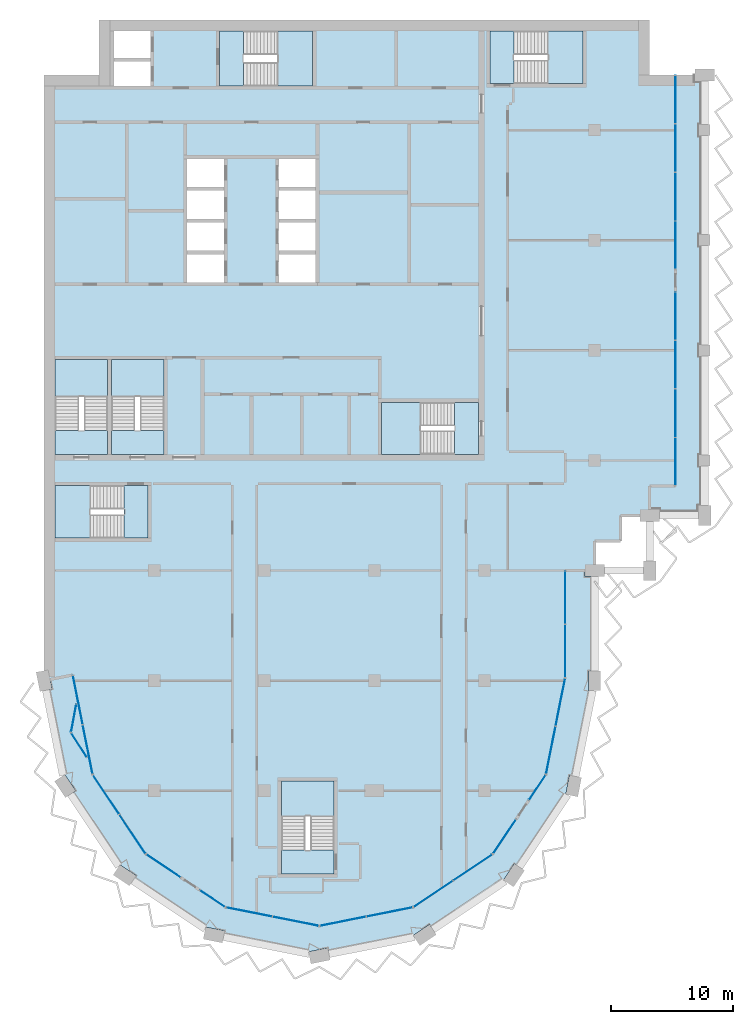
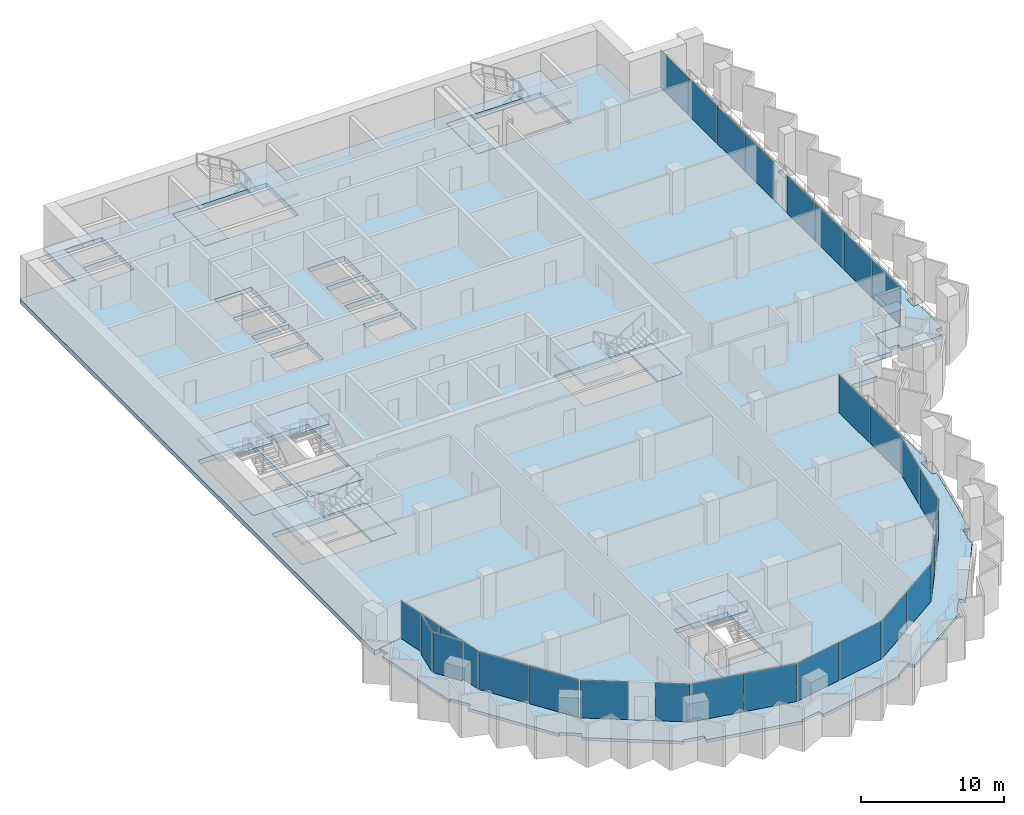
# One storey, part 7 of 17: 28 plates, 17 slabs, 22 elements without a shape of their own.
"""IFC4 building model written with IfcOpenShell, lengths in metres."""

from ifc_helpers import new_model, si_unit, direction, frame, origin, origin_2d, place, context, subcontext, project, spatial, polyline, rectangle, outline, extrude, material, layer, layer_set, type_object, element, aggregate, save


model = new_model("IFC4")

# Units and contexts
model_context = context("Model", 3, precision=1e-05, world=origin(), true_north=direction((0.0, 1.0)))
body_context = subcontext(model_context, "Body", "Model", "MODEL_VIEW")
ifc_project = project(units=[si_unit("LENGTHUNIT", "METRE"), si_unit("AREAUNIT", "SQUARE_METRE"), si_unit("VOLUMEUNIT", "CUBIC_METRE"), si_unit("PLANEANGLEUNIT", "RADIAN"), si_unit("MASSUNIT", "GRAM", prefix="KILO")], contexts=[model_context])

# Site, building, storey
site_placement = place(None, origin())
site = spatial("IfcSite", under=ifc_project, at=site_placement, CompositionType="ELEMENT")
building_placement = place(site_placement, origin())
building = spatial("IfcBuilding", under=site, at=building_placement, Name="Hunhe Ridgeline Campus", CompositionType="ELEMENT")
storey_placement = place(building_placement, frame((0.0, 0.0, 268.800048828125)))
storey = spatial("IfcBuildingStorey", under=building, at=storey_placement, Name="L69", CompositionType="ELEMENT", Elevation=268.800048828125)

# Curtain wall, plates
ifc_material_1 = material(Name="Aluminium 6063", Category="aluminium")
curtain_wall_type_1 = type_object("IfcCurtainWallType", Name="Curtain wall CW-5", PredefinedType="NOTDEFINED", material=ifc_material_1)
curtain_wall_1_placement = place(storey_placement, origin())
curtain_wall_1 = element("IfcCurtainWall", 1, at=curtain_wall_1_placement, inside=storey, type_object=curtain_wall_type_1, Name="Curtain wall 01", PredefinedType="NOTDEFINED")
ifc_material_2 = material(Name="Low-e laminated glass", Category="glass")
ifc_layer_1 = layer(ifc_material_2, 0.028076171875)
ifc_layer_set_1 = layer_set([ifc_layer_1], Name="Curtain wall glass panel 28 low-e laminated")
plate_type = type_object("IfcPlateType", Name="Curtain wall glass panel 28 low-e laminated", PredefinedType="CURTAIN_PANEL", material=ifc_layer_set_1)
plate_1_placement = place(storey_placement, frame((2.76318359375, 43.416015625, 0.0), z_axis=(0.0, 0.0, 1.0), x_axis=(0.195095347137, -0.980784280831, 0.0)))
plate_1 = element("IfcPlate", 2, at=plate_1_placement, type_object=plate_type, Name="CW-5 panel 1", PredefinedType="CURTAIN_PANEL", context=body_context, shape_type="SweptSolid", body=[
    extrude(rectangle(XDim=4.0458984375, YDim=0.028076171875, at=origin_2d()), origin(), (0.0, 0.0, 1.0), 3.22998046875),
])
plate_2_placement = place(storey_placement, frame((3.566162109375, 39.379150390625, 0.0), z_axis=(0.0, 0.0, 1.0), x_axis=(0.195095347137, -0.980784280831, 0.0)))
plate_2 = element("IfcPlate", 3, at=plate_2_placement, type_object=plate_type, Name="CW-5 panel 2", PredefinedType="CURTAIN_PANEL", context=body_context, shape_type="SweptSolid", body=[
    extrude(rectangle(XDim=4.0458984375, YDim=0.028076171875, at=origin_2d()), origin(), (0.0, 0.0, 1.0), 3.22998046875),
])
aggregate(curtain_wall_1, [plate_1, plate_2])

# Curtain wall, plate
curtain_wall_type_2 = type_object("IfcCurtainWallType", Name="Curtain wall CW-2", PredefinedType="NOTDEFINED", material=ifc_material_1)
curtain_wall_2_placement = place(storey_placement, origin())
curtain_wall_2 = element("IfcCurtainWall", 4, at=curtain_wall_2_placement, inside=storey, type_object=curtain_wall_type_2, Name="Curtain wall B01a", PredefinedType="NOTDEFINED")
plate_3_placement = place(storey_placement, frame((2.4248046875, 41.938720703125, 0.0), z_axis=(0.0, 0.0, 1.0), x_axis=(-0.183112559813, -0.983091954213, 0.0)))
plate_3 = element("IfcPlate", 5, at=plate_3_placement, type_object=plate_type, Name="CW-2 panel 1", PredefinedType="CURTAIN_PANEL", context=body_context, shape_type="SweptSolid", body=[
    extrude(rectangle(XDim=2.30322265625, YDim=0.028076171875, at=origin_2d()), origin(), (0.0, 0.0, 1.0), 3.389892578125),
])
aggregate(curtain_wall_2, [plate_3])

curtain_wall_3_placement = place(storey_placement, origin())
curtain_wall_3 = element("IfcCurtainWall", 6, at=curtain_wall_3_placement, inside=storey, type_object=curtain_wall_type_2, Name="Curtain wall B01b", PredefinedType="NOTDEFINED")
plate_4_placement = place(storey_placement, frame((2.86376953125, 39.73193359375, 0.0), z_axis=(0.0, 0.0, 1.0), x_axis=(0.545395474403, -0.838178845176, 0.0)))
plate_4 = element("IfcPlate", 7, at=plate_4_placement, type_object=plate_type, Name="CW-2 panel 1", PredefinedType="CURTAIN_PANEL", context=body_context, shape_type="SweptSolid", body=[
    extrude(rectangle(XDim=2.30322265625, YDim=0.028076171875, at=origin_2d()), origin(), (0.0, 0.0, 1.0), 3.389892578125),
])
aggregate(curtain_wall_3, [plate_4])

# Curtain wall, plates
curtain_wall_4_placement = place(storey_placement, origin())
curtain_wall_4 = element("IfcCurtainWall", 8, at=curtain_wall_4_placement, inside=storey, type_object=curtain_wall_type_1, Name="Curtain wall 02", PredefinedType="NOTDEFINED")
plate_5_placement = place(storey_placement, frame((5.07080078125, 35.685546875, 0.0), z_axis=(0.0, 0.0, 1.0), x_axis=(0.555570274596, -0.831469584522, 0.0)))
plate_5 = element("IfcPlate", 9, at=plate_5_placement, type_object=plate_type, Name="CW-5 panel 1", PredefinedType="CURTAIN_PANEL", context=body_context, shape_type="SweptSolid", body=[
    extrude(rectangle(XDim=3.806884765625, YDim=0.028076171875, at=origin_2d()), origin(), (0.0, 0.0, 1.0), 3.22998046875),
])
plate_6_placement = place(storey_placement, frame((7.224609375, 32.4619140625, 0.0), z_axis=(0.0, 0.0, 1.0), x_axis=(0.555570274596, -0.831469584522, 0.0)))
plate_6 = element("IfcPlate", 10, at=plate_6_placement, type_object=plate_type, Name="CW-5 panel 2", PredefinedType="CURTAIN_PANEL", context=body_context, shape_type="SweptSolid", body=[
    extrude(rectangle(XDim=3.806884765625, YDim=0.028076171875, at=origin_2d()), origin(), (0.0, 0.0, 1.0), 3.22998046875),
])
aggregate(curtain_wall_4, [plate_5, plate_6])

# Curtain wall, plate
curtain_wall_5_placement = place(storey_placement, origin())
curtain_wall_5 = element("IfcCurtainWall", 11, at=curtain_wall_5_placement, inside=storey, type_object=curtain_wall_type_1, Name="Curtain wall 03", PredefinedType="NOTDEFINED")
plate_7_placement = place(storey_placement, frame((9.76025390625, 29.859375, 0.0), z_axis=(0.0, 0.0, 1.0), x_axis=(0.831469595944, -0.555570257501, 0.0)))
plate_7 = element("IfcPlate", 12, at=plate_7_placement, type_object=plate_type, Name="CW-5 panel 1", PredefinedType="CURTAIN_PANEL", context=body_context, shape_type="SweptSolid", body=[
    extrude(rectangle(XDim=3.322021484375, YDim=0.028076171875, at=origin_2d()), origin(), (0.0, 0.0, 1.0), 3.22998046875),
])
aggregate(curtain_wall_5, [plate_7])

curtain_wall_6_placement = place(storey_placement, origin())
curtain_wall_6 = element("IfcCurtainWall", 13, at=curtain_wall_6_placement, inside=storey, type_object=curtain_wall_type_1, Name="Curtain wall 04", PredefinedType="NOTDEFINED")
plate_8_placement = place(storey_placement, frame((13.761474609375, 27.18603515625, 0.0), z_axis=(0.0, 0.0, 1.0), x_axis=(0.831469510353, -0.555570385598, 0.0)))
plate_8 = element("IfcPlate", 14, at=plate_8_placement, type_object=plate_type, Name="CW-5 panel 1", PredefinedType="CURTAIN_PANEL", context=body_context, shape_type="SweptSolid", body=[
    extrude(rectangle(XDim=2.421875, YDim=0.028076171875, at=origin_2d()), origin(), (0.0, 0.0, 1.0), 3.22998046875),
])
aggregate(curtain_wall_6, [plate_8])

# Curtain wall, plates
curtain_wall_7_placement = place(storey_placement, origin())
curtain_wall_7 = element("IfcCurtainWall", 15, at=curtain_wall_7_placement, inside=storey, type_object=curtain_wall_type_1, Name="Curtain wall 05", PredefinedType="NOTDEFINED")
plate_9_placement = place(storey_placement, frame((16.761962890625, 26.08935546875, 0.0), z_axis=(0.0, 0.0, 1.0), x_axis=(0.980785275326, -0.195090347539, 0.0)))
plate_9 = element("IfcPlate", 16, at=plate_9_placement, type_object=plate_type, Name="CW-5 panel 1", PredefinedType="CURTAIN_PANEL", context=body_context, shape_type="SweptSolid", body=[
    extrude(rectangle(XDim=3.806884765625, YDim=0.028076171875, at=origin_2d()), origin(), (0.0, 0.0, 1.0), 3.22998046875),
])
plate_10_placement = place(storey_placement, frame((20.564453125, 25.3330078125, 0.0), z_axis=(0.0, 0.0, 1.0), x_axis=(0.980785275326, -0.195090347539, 0.0)))
plate_10 = element("IfcPlate", 17, at=plate_10_placement, type_object=plate_type, Name="CW-5 panel 2", PredefinedType="CURTAIN_PANEL", context=body_context, shape_type="SweptSolid", body=[
    extrude(rectangle(XDim=3.806884765625, YDim=0.028076171875, at=origin_2d()), origin(), (0.0, 0.0, 1.0), 3.22998046875),
])
aggregate(curtain_wall_7, [plate_9, plate_10])

curtain_wall_8_placement = place(storey_placement, origin())
curtain_wall_8 = element("IfcCurtainWall", 18, at=curtain_wall_8_placement, inside=storey, type_object=curtain_wall_type_1, Name="Curtain wall 06", PredefinedType="NOTDEFINED")
plate_11_placement = place(storey_placement, frame((24.435546875, 25.3330078125, 0.0), z_axis=(0.0, 0.0, 1.0), x_axis=(0.980785275326, 0.195090347539, 0.0)))
plate_11 = element("IfcPlate", 19, at=plate_11_placement, type_object=plate_type, Name="CW-5 panel 1", PredefinedType="CURTAIN_PANEL", context=body_context, shape_type="SweptSolid", body=[
    extrude(rectangle(XDim=3.806884765625, YDim=0.028076171875, at=origin_2d()), origin(), (0.0, 0.0, 1.0), 3.22998046875),
])
plate_12_placement = place(storey_placement, frame((28.238037109375, 26.08935546875, 0.0), z_axis=(0.0, 0.0, 1.0), x_axis=(0.980785275326, 0.195090347539, 0.0)))
plate_12 = element("IfcPlate", 20, at=plate_12_placement, type_object=plate_type, Name="CW-5 panel 2", PredefinedType="CURTAIN_PANEL", context=body_context, shape_type="SweptSolid", body=[
    extrude(rectangle(XDim=3.806884765625, YDim=0.028076171875, at=origin_2d()), origin(), (0.0, 0.0, 1.0), 3.22998046875),
])
aggregate(curtain_wall_8, [plate_11, plate_12])

curtain_wall_9_placement = place(storey_placement, origin())
curtain_wall_9 = element("IfcCurtainWall", 21, at=curtain_wall_9_placement, inside=storey, type_object=curtain_wall_type_1, Name="Curtain wall 07", PredefinedType="NOTDEFINED")
plate_13_placement = place(storey_placement, frame((31.814453125, 27.57080078125, 0.0), z_axis=(0.0, 0.0, 1.0), x_axis=(0.831469584522, 0.555570274596, 0.0)))
plate_13 = element("IfcPlate", 22, at=plate_13_placement, type_object=plate_type, Name="CW-5 panel 1", PredefinedType="CURTAIN_PANEL", context=body_context, shape_type="SweptSolid", body=[
    extrude(rectangle(XDim=3.806884765625, YDim=0.028076171875, at=origin_2d()), origin(), (0.0, 0.0, 1.0), 3.22998046875),
])
plate_14_placement = place(storey_placement, frame((35.0380859375, 29.724609375, 0.0), z_axis=(0.0, 0.0, 1.0), x_axis=(0.831469584522, 0.555570274596, 0.0)))
plate_14 = element("IfcPlate", 23, at=plate_14_placement, type_object=plate_type, Name="CW-5 panel 2", PredefinedType="CURTAIN_PANEL", context=body_context, shape_type="SweptSolid", body=[
    extrude(rectangle(XDim=3.806884765625, YDim=0.028076171875, at=origin_2d()), origin(), (0.0, 0.0, 1.0), 3.22998046875),
])
aggregate(curtain_wall_9, [plate_13, plate_14])

# Curtain wall, plate
curtain_wall_10_placement = place(storey_placement, origin())
curtain_wall_10 = element("IfcCurtainWall", 24, at=curtain_wall_10_placement, inside=storey, type_object=curtain_wall_type_1, Name="Curtain wall 08", PredefinedType="NOTDEFINED")
plate_15_placement = place(storey_placement, frame((37.640625, 32.26025390625, 0.0), z_axis=(0.0, 0.0, 1.0), x_axis=(0.555570257501, 0.831469595944, 0.0)))
plate_15 = element("IfcPlate", 25, at=plate_15_placement, type_object=plate_type, Name="CW-5 panel 1", PredefinedType="CURTAIN_PANEL", context=body_context, shape_type="SweptSolid", body=[
    extrude(rectangle(XDim=3.322021484375, YDim=0.028076171875, at=origin_2d()), origin(), (0.0, 0.0, 1.0), 3.22998046875),
])
aggregate(curtain_wall_10, [plate_15])

curtain_wall_11_placement = place(storey_placement, origin())
curtain_wall_11 = element("IfcCurtainWall", 26, at=curtain_wall_11_placement, inside=storey, type_object=curtain_wall_type_1, Name="Curtain wall 09", PredefinedType="NOTDEFINED")
plate_16_placement = place(storey_placement, frame((40.31396484375, 36.261474609375, 0.0), z_axis=(0.0, 0.0, 1.0), x_axis=(0.555570385598, 0.831469510353, 0.0)))
plate_16 = element("IfcPlate", 27, at=plate_16_placement, type_object=plate_type, Name="CW-5 panel 1", PredefinedType="CURTAIN_PANEL", context=body_context, shape_type="SweptSolid", body=[
    extrude(rectangle(XDim=2.421875, YDim=0.028076171875, at=origin_2d()), origin(), (0.0, 0.0, 1.0), 3.22998046875),
])
aggregate(curtain_wall_11, [plate_16])

# Curtain wall, plates
curtain_wall_12_placement = place(storey_placement, origin())
curtain_wall_12 = element("IfcCurtainWall", 28, at=curtain_wall_12_placement, inside=storey, type_object=curtain_wall_type_1, Name="Curtain wall 10", PredefinedType="NOTDEFINED")
plate_17_placement = place(storey_placement, frame((41.42236328125, 39.321044921875, 0.0), z_axis=(0.0, 0.0, 1.0), x_axis=(0.195090299215, 0.980785284939, 0.0)))
plate_17 = element("IfcPlate", 29, at=plate_17_placement, type_object=plate_type, Name="CW-5 panel 1", PredefinedType="CURTAIN_PANEL", context=body_context, shape_type="SweptSolid", body=[
    extrude(rectangle(XDim=3.927490234375, YDim=0.028076171875, at=origin_2d()), origin(), (0.0, 0.0, 1.0), 3.22998046875),
])
plate_18_placement = place(storey_placement, frame((42.2021484375, 43.24169921875, 0.0), z_axis=(0.0, 0.0, 1.0), x_axis=(0.195090299215, 0.980785284939, 0.0)))
plate_18 = element("IfcPlate", 30, at=plate_18_placement, type_object=plate_type, Name="CW-5 panel 2", PredefinedType="CURTAIN_PANEL", context=body_context, shape_type="SweptSolid", body=[
    extrude(rectangle(XDim=3.927490234375, YDim=0.028076171875, at=origin_2d()), origin(), (0.0, 0.0, 1.0), 3.22998046875),
])
aggregate(curtain_wall_12, [plate_17, plate_18])

curtain_wall_type_3 = type_object("IfcCurtainWallType", Name="Curtain wall CW-1", PredefinedType="NOTDEFINED", material=ifc_material_1)
curtain_wall_13_placement = place(storey_placement, origin())
curtain_wall_13 = element("IfcCurtainWall", 31, at=curtain_wall_13_placement, inside=storey, type_object=curtain_wall_type_3, Name="Curtain wall 11", PredefinedType="NOTDEFINED")
plate_19_placement = place(storey_placement, frame((42.59912109375, 47.4423828125, 0.0), z_axis=(0.0, 0.0, 1.0), x_axis=(1.9283253e-05, 0.999999999814, 0.0)))
plate_19 = element("IfcPlate", 32, at=plate_19_placement, type_object=plate_type, Name="CW-1 panel 1", PredefinedType="CURTAIN_PANEL", context=body_context, shape_type="SweptSolid", body=[
    extrude(rectangle(XDim=4.2919921875, YDim=0.028076171875, at=origin_2d()), origin(), (0.0, 0.0, 1.0), 3.239990234375),
])
plate_20_placement = place(storey_placement, frame((42.59912109375, 51.79443359375, 0.0), z_axis=(0.0, 0.0, 1.0), x_axis=(1.9283253e-05, 0.999999999814, 0.0)))
plate_20 = element("IfcPlate", 33, at=plate_20_placement, type_object=plate_type, Name="CW-1 panel 2", PredefinedType="CURTAIN_PANEL", context=body_context, shape_type="SweptSolid", body=[
    extrude(rectangle(XDim=4.2919921875, YDim=0.028076171875, at=origin_2d()), origin(), (0.0, 0.0, 1.0), 3.239990234375),
])
aggregate(curtain_wall_13, [plate_19, plate_20])

curtain_wall_14_placement = place(storey_placement, origin())
curtain_wall_14 = element("IfcCurtainWall", 34, at=curtain_wall_14_placement, inside=storey, type_object=curtain_wall_type_3, Name="Curtain wall 12", PredefinedType="NOTDEFINED")
plate_21_placement = place(storey_placement, frame((51.59912109375, 62.9033203125, 0.0), z_axis=(0.0, 0.0, 1.0), x_axis=(0.0, 1.0, 0.0)))
plate_21 = element("IfcPlate", 35, at=plate_21_placement, type_object=plate_type, Name="CW-1 panel 1", PredefinedType="CURTAIN_PANEL", context=body_context, shape_type="SweptSolid", body=[
    extrude(rectangle(XDim=3.884765625, YDim=0.028076171875, at=origin_2d()), origin(), (0.0, 0.0, 1.0), 3.239990234375),
])
plate_22_placement = place(storey_placement, frame((51.59912109375, 66.86328125, 0.0), z_axis=(0.0, 0.0, 1.0), x_axis=(0.0, 1.0, 0.0)))
plate_22 = element("IfcPlate", 36, at=plate_22_placement, type_object=plate_type, Name="CW-1 panel 2", PredefinedType="CURTAIN_PANEL", context=body_context, shape_type="SweptSolid", body=[
    extrude(rectangle(XDim=3.914794921875, YDim=0.028076171875, at=origin_2d()), origin(), (0.0, 0.0, 1.0), 3.239990234375),
])
plate_23_placement = place(storey_placement, frame((51.59912109375, 70.838134765625, 0.0), z_axis=(0.0, 0.0, 1.0), x_axis=(0.0, 1.0, 0.0)))
plate_23 = element("IfcPlate", 37, at=plate_23_placement, type_object=plate_type, Name="CW-1 panel 3", PredefinedType="CURTAIN_PANEL", context=body_context, shape_type="SweptSolid", body=[
    extrude(rectangle(XDim=3.914794921875, YDim=0.028076171875, at=origin_2d()), origin(), (0.0, 0.0, 1.0), 3.239990234375),
])
plate_24_placement = place(storey_placement, frame((51.59912109375, 74.798095703125, 0.0), z_axis=(0.0, 0.0, 1.0), x_axis=(0.0, 1.0, 0.0)))
plate_24 = element("IfcPlate", 38, at=plate_24_placement, type_object=plate_type, Name="CW-1 panel 4", PredefinedType="CURTAIN_PANEL", context=body_context, shape_type="SweptSolid", body=[
    extrude(rectangle(XDim=3.884765625, YDim=0.028076171875, at=origin_2d()), origin(), (0.0, 0.0, 1.0), 3.239990234375),
])
aggregate(curtain_wall_14, [plate_21, plate_22, plate_23, plate_24])

curtain_wall_15_placement = place(storey_placement, origin())
curtain_wall_15 = element("IfcCurtainWall", 39, at=curtain_wall_15_placement, inside=storey, type_object=curtain_wall_type_3, Name="Curtain wall 13", PredefinedType="NOTDEFINED")
plate_25_placement = place(storey_placement, frame((51.59912109375, 80.60302734375, 0.0), z_axis=(0.0, 0.0, 1.0), x_axis=(0.0, 1.0, 0.0)))
plate_25 = element("IfcPlate", 40, at=plate_25_placement, type_object=plate_type, Name="CW-1 panel 1", PredefinedType="CURTAIN_PANEL", context=body_context, shape_type="SweptSolid", body=[
    extrude(rectangle(XDim=3.884765625, YDim=0.028076171875, at=origin_2d()), origin(), (0.0, 0.0, 1.0), 3.239990234375),
])
plate_26_placement = place(storey_placement, frame((51.59912109375, 84.562744140625, 0.0), z_axis=(0.0, 0.0, 1.0), x_axis=(0.0, 1.0, 0.0)))
plate_26 = element("IfcPlate", 41, at=plate_26_placement, type_object=plate_type, Name="CW-1 panel 2", PredefinedType="CURTAIN_PANEL", context=body_context, shape_type="SweptSolid", body=[
    extrude(rectangle(XDim=3.914794921875, YDim=0.028076171875, at=origin_2d()), origin(), (0.0, 0.0, 1.0), 3.239990234375),
])
plate_27_placement = place(storey_placement, frame((51.59912109375, 88.53759765625, 0.0), z_axis=(0.0, 0.0, 1.0), x_axis=(0.0, 1.0, 0.0)))
plate_27 = element("IfcPlate", 42, at=plate_27_placement, type_object=plate_type, Name="CW-1 panel 3", PredefinedType="CURTAIN_PANEL", context=body_context, shape_type="SweptSolid", body=[
    extrude(rectangle(XDim=3.914794921875, YDim=0.028076171875, at=origin_2d()), origin(), (0.0, 0.0, 1.0), 3.239990234375),
])
plate_28_placement = place(storey_placement, frame((51.59912109375, 92.49755859375, 0.0), z_axis=(0.0, 0.0, 1.0), x_axis=(0.0, 1.0, 0.0)))
plate_28 = element("IfcPlate", 43, at=plate_28_placement, type_object=plate_type, Name="CW-1 panel 4", PredefinedType="CURTAIN_PANEL", context=body_context, shape_type="SweptSolid", body=[
    extrude(rectangle(XDim=3.884765625, YDim=0.028076171875, at=origin_2d()), origin(), (0.0, 0.0, 1.0), 3.239990234375),
])
aggregate(curtain_wall_15, [plate_25, plate_26, plate_27, plate_28])

# Slabs
ifc_material_3 = material(Name="Concrete C40", Category="concrete")
ifc_layer_2 = layer(ifc_material_3, 0.39990234375)
ifc_layer_set_2 = layer_set([ifc_layer_2], Name="Floor slab 400 Concrete C40")
slab_type_1 = type_object("IfcSlabType", Name="Floor slab 400 Concrete C40", PredefinedType="FLOOR", material=ifc_layer_set_2)
slab_1_placement = place(storey_placement, frame((0.0, 0.0, -0.400146484375)))
element("IfcSlab", 44, at=slab_1_placement, inside=storey, type_object=slab_type_1, Name="Floor slab L69 1", PredefinedType="FLOOR", context=body_context, shape_type="SweptSolid", body=[
    extrude(outline(polyline([(36.678955078125, 30.821044921875), (41.025634765625, 37.326416015625), (42.59912109375, 45.236572265625), (42.59912109375, 54.00048828125), (44.9990234375, 54.0009765625), (44.999267578125, 56.400634765625), (47.09912109375, 56.40087890625), (47.099609375, 58.5009765625), (49.4990234375, 58.5009765625), (49.49951171875, 60.90087890625), (51.59912109375, 60.90087890625), (51.59912109375, 94.5), (49.5, 94.5), (49.5, 99.0), (4.5, 99.0), (4.5, 94.5), (0.0, 94.5), (0.0, 45.0009765625), (2.354736328125, 45.46875), (3.974365234375, 37.326416015625), (8.321044921875, 30.821044921875), (14.826416015625, 26.474365234375), (22.5, 24.947998046875), (30.173583984375, 26.474365234375), (36.678955078125, 30.821044921875)]), holes=[polyline([(36.449951171875, 98.10009765625), (36.449951171875, 93.800048828125), (44.050048828125, 93.800048828125), (44.050048828125, 98.10009765625), (36.449951171875, 98.10009765625)]), polyline([(27.60009765625, 63.5), (35.5, 63.5), (35.5, 67.75), (27.60009765625, 67.75), (27.60009765625, 63.5)]), polyline([(19.39990234375, 36.800048828125), (19.39990234375, 29.199951171875), (23.699951171875, 29.199951171875), (23.699951171875, 36.800048828125), (19.39990234375, 36.800048828125)]), polyline([(22.199951171875, 87.64990234375), (19.199951171875, 87.64990234375), (19.199951171875, 85.35009765625), (22.199951171875, 85.35009765625), (22.199951171875, 87.64990234375)]), polyline([(22.199951171875, 77.550048828125), (22.199951171875, 79.85009765625), (19.199951171875, 79.85009765625), (19.199951171875, 77.550048828125), (22.199951171875, 77.550048828125)]), polyline([(19.199951171875, 85.050048828125), (19.199951171875, 82.75), (22.199951171875, 82.75), (22.199951171875, 85.050048828125), (19.199951171875, 85.050048828125)]), polyline([(19.199951171875, 80.14990234375), (22.199951171875, 80.14990234375), (22.199951171875, 82.449951171875), (19.199951171875, 82.449951171875), (19.199951171875, 80.14990234375)]), polyline([(14.35009765625, 98.10009765625), (14.35009765625, 93.60009765625), (21.949951171875, 93.60009765625), (21.949951171875, 98.10009765625), (14.35009765625, 98.10009765625)]), polyline([(14.699951171875, 87.64990234375), (11.699951171875, 87.64990234375), (11.699951171875, 85.35009765625), (14.699951171875, 85.35009765625), (14.699951171875, 87.64990234375)]), polyline([(14.699951171875, 77.550048828125), (14.699951171875, 79.85009765625), (11.699951171875, 79.85009765625), (11.699951171875, 77.550048828125), (14.699951171875, 77.550048828125)]), polyline([(11.699951171875, 85.050048828125), (11.699951171875, 82.75), (14.699951171875, 82.75), (14.699951171875, 85.050048828125), (11.699951171875, 85.050048828125)]), polyline([(11.699951171875, 80.14990234375), (14.699951171875, 80.14990234375), (14.699951171875, 82.449951171875), (11.699951171875, 82.449951171875), (11.699951171875, 80.14990234375)]), polyline([(9.800048828125, 63.5), (9.800048828125, 71.25), (5.5, 71.25), (5.5, 63.5), (9.800048828125, 63.5)]), polyline([(8.699951171875, 93.60009765625), (8.699951171875, 95.60009765625), (5.699951171875, 95.60009765625), (5.699951171875, 93.60009765625), (8.699951171875, 93.60009765625)]), polyline([(5.699951171875, 95.89990234375), (8.699951171875, 95.89990234375), (8.699951171875, 98.10009765625), (5.699951171875, 98.10009765625), (5.699951171875, 95.89990234375)]), polyline([(0.89990234375, 60.949951171875), (0.89990234375, 56.64990234375), (8.5, 56.64990234375), (8.5, 60.949951171875), (0.89990234375, 60.949951171875)]), polyline([(5.199951171875, 71.25), (0.89990234375, 71.25), (0.89990234375, 63.5), (5.199951171875, 63.5), (5.199951171875, 71.25)])]), origin(), (0.0, 0.0, 1.0), 0.400146484375),
])
ifc_layer_3 = layer(ifc_material_3, 0.25)
ifc_layer_set_3 = layer_set([ifc_layer_3], Name="Loggia slab 250 Concrete C40")
slab_type_2 = type_object("IfcSlabType", Name="Loggia slab 250 Concrete C40", PredefinedType="FLOOR", material=ifc_layer_set_3)
slab_2_placement = place(storey_placement, frame((0.0, 0.0, -0.25)))
element("IfcSlab", 45, at=slab_2_placement, inside=storey, type_object=slab_type_2, Name="Loggia slab 1", PredefinedType="FLOOR", context=body_context, shape_type="SweptSolid", body=[
    extrude(outline(polyline([(30.173828125, 26.473388671875), (22.5, 24.947021484375), (14.826171875, 26.473388671875), (8.3203125, 30.8203125), (3.973388671875, 37.326171875), (2.35400390625, 45.46826171875), (0.490478515625, 45.09765625), (0.646484375, 44.31298828125), (0.156005859375, 44.21533203125), (1.543701171875, 37.239013671875), (1.68408203125, 37.33251953125), (2.572998046875, 36.002197265625), (2.1572265625, 35.724365234375), (6.109130859375, 29.81005859375), (6.20263671875, 29.9501953125), (7.532958984375, 29.061279296875), (7.25537109375, 28.645751953125), (13.169677734375, 24.69384765625), (13.20263671875, 24.859130859375), (14.771728515625, 24.547119140625), (14.67431640625, 24.056640625), (21.650634765625, 22.6689453125), (21.617919921875, 22.834228515625), (23.18701171875, 23.146484375), (23.28466796875, 22.656005859375), (30.260986328125, 24.043701171875), (30.16748046875, 24.18408203125), (31.497802734375, 25.072998046875), (31.775634765625, 24.6572265625), (37.68994140625, 28.609130859375), (37.5498046875, 28.70263671875), (38.438720703125, 30.032958984375), (38.854248046875, 29.75537109375), (42.80615234375, 35.669677734375), (42.640869140625, 35.70263671875), (42.952880859375, 37.271728515625), (43.443359375, 37.17431640625), (44.8408203125, 44.199951171875), (44.5, 44.199951171875), (44.5, 45.800048828125), (45.0, 45.800048828125), (45.0, 53.5), (44.199951171875, 53.5), (44.199951171875, 54.0), (42.60009765625, 54.0), (42.60009765625, 45.236328125), (41.026611328125, 37.326171875), (36.6796875, 30.8203125), (30.173828125, 26.473388671875)])), origin(), (0.0, 0.0, 1.0), 0.25),
])
slab_3_placement = place(storey_placement, frame((0.0, 0.0, -0.25)))
element("IfcSlab", 46, at=slab_3_placement, inside=storey, type_object=slab_type_2, Name="Loggia slab 2", PredefinedType="FLOOR", context=body_context, shape_type="SweptSolid", body=[
    extrude(outline(polyline([(49.5, 59.0), (50.300048828125, 59.0), (50.300048828125, 58.5), (53.5, 58.5), (53.5, 59.300048828125), (54.0, 59.300048828125), (54.0, 62.550048828125), (53.550048828125, 62.550048828125), (53.550048828125, 63.449951171875), (54.0, 63.449951171875), (54.0, 71.550048828125), (53.550048828125, 71.550048828125), (53.550048828125, 72.449951171875), (54.0, 72.449951171875), (54.0, 80.550048828125), (53.550048828125, 80.550048828125), (53.550048828125, 81.449951171875), (54.0, 81.449951171875), (54.0, 89.550048828125), (53.550048828125, 89.550048828125), (53.550048828125, 90.449951171875), (54.0, 90.449951171875), (54.0, 94.0), (53.199951171875, 94.0), (53.199951171875, 94.5), (51.60009765625, 94.5), (51.60009765625, 60.89990234375), (49.5, 60.89990234375), (49.5, 59.0)])), origin(), (0.0, 0.0, 1.0), 0.25),
])

# Stair, slab
stair_type = type_object("IfcStairType", Name="Reinforced concrete dog-leg stair 1950 Concrete C40", PredefinedType="HALF_TURN_STAIR", material=ifc_material_3)
stair_1_placement = place(storey_placement, origin())
stair_1 = element("IfcStair", 47, at=stair_1_placement, inside=storey, type_object=stair_type, Name="L69 S1", PredefinedType="HALF_TURN_STAIR")
ifc_layer_4 = layer(ifc_material_3, 0.199951171875)
ifc_layer_set_4 = layer_set([ifc_layer_4], Name="Reinforced concrete stair landing 200 Concrete C40")
slab_type_3 = type_object("IfcSlabType", Name="Reinforced concrete stair landing 200 Concrete C40", PredefinedType="LANDING", material=ifc_layer_set_4)
slab_4_placement = place(storey_placement, frame((0.0, 0.0, 1.64990234375)))
slab_4 = element("IfcSlab", 48, at=slab_4_placement, type_object=slab_type_3, Name="ST1 landing 1", PredefinedType="LANDING", context=body_context, shape_type="SweptSolid", body=[
    extrude(outline(polyline([(19.10009765625, 93.60009765625), (21.949951171875, 93.60009765625), (21.949951171875, 98.10009765625), (19.10009765625, 98.10009765625), (19.10009765625, 93.60009765625)])), origin(), (0.0, 0.0, 1.0), 0.199951171875),
])
aggregate(stair_1, [slab_4])

# Slab
slab_5_placement = place(storey_placement, frame((0.0, 0.0, -0.199951171875)))
element("IfcSlab", 49, at=slab_5_placement, inside=storey, type_object=slab_type_3, Name="L69 stair S1 floor landing", PredefinedType="LANDING", context=body_context, shape_type="SweptSolid", body=[
    extrude(outline(polyline([(14.35009765625, 93.60009765625), (16.300048828125, 93.60009765625), (16.300048828125, 98.10009765625), (14.35009765625, 98.10009765625), (14.35009765625, 93.60009765625)])), origin(), (0.0, 0.0, 1.0), 0.199951171875),
])

# Stair, slab
stair_2_placement = place(storey_placement, origin())
stair_2 = element("IfcStair", 50, at=stair_2_placement, inside=storey, type_object=stair_type, Name="L69 S2", PredefinedType="HALF_TURN_STAIR")
slab_6_placement = place(storey_placement, frame((0.0, 0.0, 1.64990234375)))
slab_6 = element("IfcSlab", 51, at=slab_6_placement, type_object=slab_type_3, Name="ST2 landing 1", PredefinedType="LANDING", context=body_context, shape_type="SweptSolid", body=[
    extrude(outline(polyline([(30.75, 67.75), (27.60009765625, 67.75), (27.60009765625, 63.5), (30.75, 63.5), (30.75, 67.75)])), origin(), (0.0, 0.0, 1.0), 0.199951171875),
])
aggregate(stair_2, [slab_6])

# Slab
slab_7_placement = place(storey_placement, frame((0.0, 0.0, -0.199951171875)))
element("IfcSlab", 52, at=slab_7_placement, inside=storey, type_object=slab_type_3, Name="L69 stair S2 floor landing", PredefinedType="LANDING", context=body_context, shape_type="SweptSolid", body=[
    extrude(outline(polyline([(35.5, 67.75), (33.550048828125, 67.75), (33.550048828125, 63.5), (35.5, 63.5), (35.5, 67.75)])), origin(), (0.0, 0.0, 1.0), 0.199951171875),
])

# Stair, slab
stair_3_placement = place(storey_placement, origin())
stair_3 = element("IfcStair", 53, at=stair_3_placement, inside=storey, type_object=stair_type, Name="L69 S3", PredefinedType="HALF_TURN_STAIR")
slab_8_placement = place(storey_placement, frame((0.0, 0.0, 1.64990234375)))
slab_8 = element("IfcSlab", 54, at=slab_8_placement, type_object=slab_type_3, Name="ST3 landing 1", PredefinedType="LANDING", context=body_context, shape_type="SweptSolid", body=[
    extrude(outline(polyline([(5.199951171875, 68.25), (5.199951171875, 71.25), (0.89990234375, 71.25), (0.89990234375, 68.25), (5.199951171875, 68.25)])), origin(), (0.0, 0.0, 1.0), 0.199951171875),
])
aggregate(stair_3, [slab_8])

# Slab
slab_9_placement = place(storey_placement, frame((0.0, 0.0, -0.199951171875)))
element("IfcSlab", 55, at=slab_9_placement, inside=storey, type_object=slab_type_3, Name="L69 stair S3 floor landing", PredefinedType="LANDING", context=body_context, shape_type="SweptSolid", body=[
    extrude(outline(polyline([(5.199951171875, 63.5), (5.199951171875, 65.449951171875), (0.89990234375, 65.449951171875), (0.89990234375, 63.5), (5.199951171875, 63.5)])), origin(), (0.0, 0.0, 1.0), 0.199951171875),
])

# Stair, slab
stair_4_placement = place(storey_placement, origin())
stair_4 = element("IfcStair", 56, at=stair_4_placement, inside=storey, type_object=stair_type, Name="L69 S4", PredefinedType="HALF_TURN_STAIR")
slab_10_placement = place(storey_placement, frame((0.0, 0.0, 1.64990234375)))
slab_10 = element("IfcSlab", 57, at=slab_10_placement, type_object=slab_type_3, Name="ST4 landing 1", PredefinedType="LANDING", context=body_context, shape_type="SweptSolid", body=[
    extrude(outline(polyline([(9.800048828125, 68.25), (9.800048828125, 71.25), (5.5, 71.25), (5.5, 68.25), (9.800048828125, 68.25)])), origin(), (0.0, 0.0, 1.0), 0.199951171875),
])
aggregate(stair_4, [slab_10])

# Slab
slab_11_placement = place(storey_placement, frame((0.0, 0.0, -0.199951171875)))
element("IfcSlab", 58, at=slab_11_placement, inside=storey, type_object=slab_type_3, Name="L69 stair S4 floor landing", PredefinedType="LANDING", context=body_context, shape_type="SweptSolid", body=[
    extrude(outline(polyline([(9.800048828125, 63.5), (9.800048828125, 65.449951171875), (5.5, 65.449951171875), (5.5, 63.5), (9.800048828125, 63.5)])), origin(), (0.0, 0.0, 1.0), 0.199951171875),
])

# Stair, slab
stair_5_placement = place(storey_placement, origin())
stair_5 = element("IfcStair", 59, at=stair_5_placement, inside=storey, type_object=stair_type, Name="L69 E1", PredefinedType="HALF_TURN_STAIR")
slab_12_placement = place(storey_placement, frame((0.0, 0.0, 1.64990234375)))
slab_12 = element("IfcSlab", 60, at=slab_12_placement, type_object=slab_type_3, Name="ST5 landing 1", PredefinedType="LANDING", context=body_context, shape_type="SweptSolid", body=[
    extrude(outline(polyline([(41.199951171875, 93.800048828125), (44.050048828125, 93.800048828125), (44.050048828125, 98.10009765625), (41.199951171875, 98.10009765625), (41.199951171875, 93.800048828125)])), origin(), (0.0, 0.0, 1.0), 0.199951171875),
])
aggregate(stair_5, [slab_12])

# Slab
slab_13_placement = place(storey_placement, frame((0.0, 0.0, -0.199951171875)))
element("IfcSlab", 61, at=slab_13_placement, inside=storey, type_object=slab_type_3, Name="L69 stair E1 floor landing", PredefinedType="LANDING", context=body_context, shape_type="SweptSolid", body=[
    extrude(outline(polyline([(36.449951171875, 93.800048828125), (38.39990234375, 93.800048828125), (38.39990234375, 98.10009765625), (36.449951171875, 98.10009765625), (36.449951171875, 93.800048828125)])), origin(), (0.0, 0.0, 1.0), 0.199951171875),
])

# Stair, slab
stair_6_placement = place(storey_placement, origin())
stair_6 = element("IfcStair", 62, at=stair_6_placement, inside=storey, type_object=stair_type, Name="L69 W3", PredefinedType="HALF_TURN_STAIR")
slab_14_placement = place(storey_placement, frame((0.0, 0.0, 1.64990234375)))
slab_14 = element("IfcSlab", 63, at=slab_14_placement, type_object=slab_type_3, Name="ST9 landing 1", PredefinedType="LANDING", context=body_context, shape_type="SweptSolid", body=[
    extrude(outline(polyline([(23.699951171875, 33.949951171875), (23.699951171875, 36.800048828125), (19.39990234375, 36.800048828125), (19.39990234375, 33.949951171875), (23.699951171875, 33.949951171875)])), origin(), (0.0, 0.0, 1.0), 0.199951171875),
])
aggregate(stair_6, [slab_14])

# Slab
slab_15_placement = place(storey_placement, frame((0.0, 0.0, -0.199951171875)))
element("IfcSlab", 64, at=slab_15_placement, inside=storey, type_object=slab_type_3, Name="L69 stair W3 floor landing", PredefinedType="LANDING", context=body_context, shape_type="SweptSolid", body=[
    extrude(outline(polyline([(23.699951171875, 29.199951171875), (23.699951171875, 31.14990234375), (19.39990234375, 31.14990234375), (19.39990234375, 29.199951171875), (23.699951171875, 29.199951171875)])), origin(), (0.0, 0.0, 1.0), 0.199951171875),
])

# Stair, slab
stair_7_placement = place(storey_placement, origin())
stair_7 = element("IfcStair", 65, at=stair_7_placement, inside=storey, type_object=stair_type, Name="L69 W2", PredefinedType="HALF_TURN_STAIR")
slab_16_placement = place(storey_placement, frame((0.0, 0.0, 1.64990234375)))
slab_16 = element("IfcSlab", 66, at=slab_16_placement, type_object=slab_type_3, Name="ST12 landing 1", PredefinedType="LANDING", context=body_context, shape_type="SweptSolid", body=[
    extrude(outline(polyline([(3.75, 60.949951171875), (0.89990234375, 60.949951171875), (0.89990234375, 56.64990234375), (3.75, 56.64990234375), (3.75, 60.949951171875)])), origin(), (0.0, 0.0, 1.0), 0.199951171875),
])
aggregate(stair_7, [slab_16])

# Slab
slab_17_placement = place(storey_placement, frame((0.0, 0.0, -0.199951171875)))
element("IfcSlab", 67, at=slab_17_placement, inside=storey, type_object=slab_type_3, Name="L69 stair W2 floor landing", PredefinedType="LANDING", context=body_context, shape_type="SweptSolid", body=[
    extrude(outline(polyline([(8.5, 60.949951171875), (6.550048828125, 60.949951171875), (6.550048828125, 56.64990234375), (8.5, 56.64990234375), (8.5, 60.949951171875)])), origin(), (0.0, 0.0, 1.0), 0.199951171875),
])

save(model, "model.ifc")
